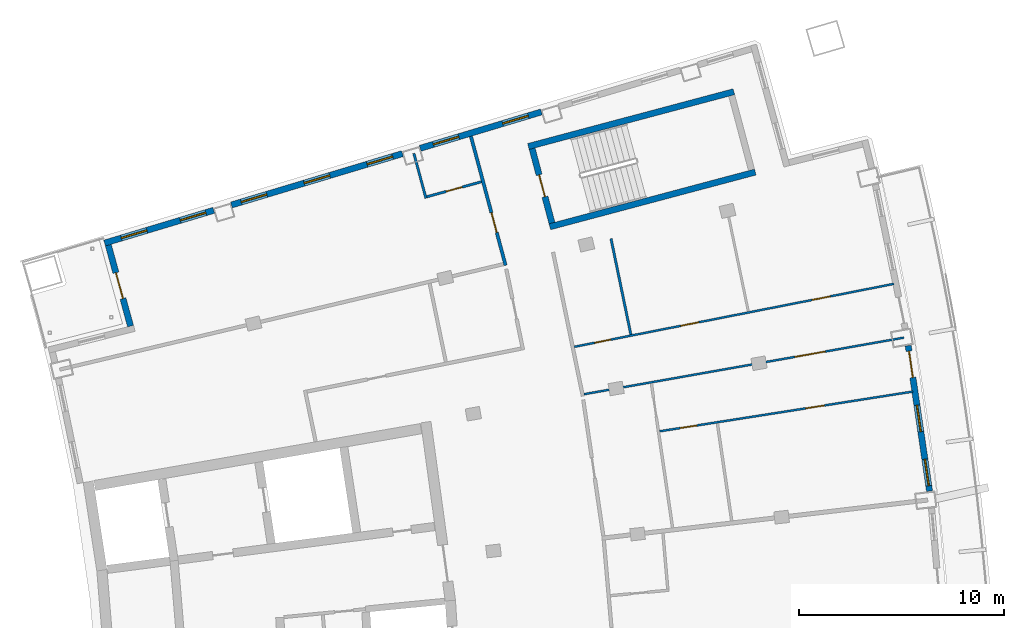
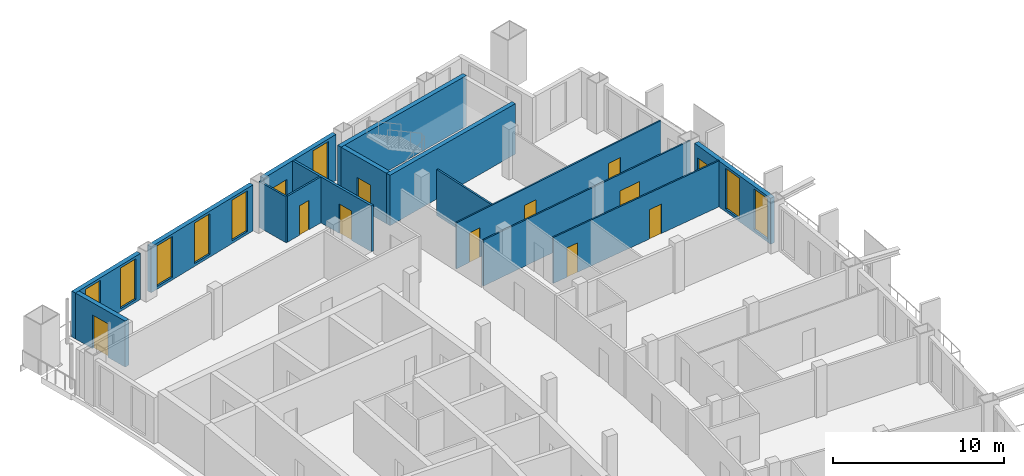
# One storey, part 12 of 15: 15 walls, 11 doors, 9 windows, 20 openings.
"""IFC4 building model written with IfcOpenShell, lengths in metres."""

from ifc_helpers import new_model, si_unit, direction, frame, frame_2d, origin, place, context, subcontext, project, spatial, rectangle, extrude, material, layer, layer_set, type_object, element, fill, save


model = new_model("IFC4")

# Units and contexts
model_context = context("Model", 3, precision=1e-05, world=origin(), true_north=direction((0.0, 1.0)))
body_context = subcontext(model_context, "Body", "Model", "MODEL_VIEW")
ifc_project = project(units=[si_unit("LENGTHUNIT", "METRE"), si_unit("AREAUNIT", "SQUARE_METRE"), si_unit("VOLUMEUNIT", "CUBIC_METRE"), si_unit("PLANEANGLEUNIT", "RADIAN"), si_unit("MASSUNIT", "GRAM", prefix="KILO")], contexts=[model_context])

# Site, building, storey
site_placement = place(None, origin())
site = spatial("IfcSite", under=ifc_project, at=site_placement, CompositionType="ELEMENT")
building_placement = place(site_placement, origin())
building = spatial("IfcBuilding", under=site, at=building_placement, Name="Alderwake Tower", CompositionType="ELEMENT")
storey_placement = place(building_placement, frame((0.0, 0.0, 249.199951171875)))
storey = spatial("IfcBuildingStorey", under=building, at=storey_placement, Name="L61", CompositionType="ELEMENT", Elevation=249.199951171875)

# Walls
ifc_material_1 = material(Name="Concrete C70/85", Category="concrete")
ifc_layer_1 = layer(ifc_material_1, 0.300048828125)
ifc_layer_set_1 = layer_set([ifc_layer_1], Name="Core wall stair enclosure 300 C70-85")
wall_type_1 = type_object("IfcWallType", Name="Core wall stair enclosure 300 C70-85", PredefinedType="SHEAR", material=ifc_layer_set_1)
for number, where, z_axis, x_axis, name in (
    (1, (36.71142578125, 94.182373046875, 0.0), (0.0, 0.0, 1.0), (0.966309214305, 0.257383958996, 0.0), "Core wall CW.082"),
    (2, (37.75390625, 90.268798828125, 0.0), (0.0, 0.0, 1.0), (0.966309214305, 0.257383958996, 0.0), "Core wall CW.084"),
):
    element("IfcWall", number, at=place(storey_placement, frame(where, z_axis=z_axis, x_axis=x_axis)), inside=storey, type_object=wall_type_1, Name=name, PredefinedType="SHEAR", context=body_context, shape_type="SweptSolid", body=[
        extrude(rectangle(XDim=10.360107421875, YDim=0.300048828125, at=frame_2d((5.18017578125, 0.0))), origin(), (0.0, 0.0, 1.0), 3.60009765625),
    ])

# Wall, opening, door
wall_1_placement = place(storey_placement, frame((37.8603515625, 90.452392578125, 0.0), z_axis=(0.0, 0.0, 1.0), x_axis=(-0.257411420208, 0.966301899381, 0.0)))
wall_1 = element("IfcWall", 3, at=wall_1_placement, inside=storey, type_object=wall_type_1, Name="Core wall CW.083", PredefinedType="SHEAR", context=body_context, shape_type="SweptSolid", body=[
    extrude(rectangle(XDim=3.750244140625, YDim=0.300048828125, at=frame_2d((1.875, 0.0))), origin(), (0.0, 0.0, 1.0), 3.60009765625),
])
opening_1_placement = place(wall_1_placement, frame((1.324951171875, 0.0, 0.0)))
opening_1 = element("IfcOpeningElement", 4, at=opening_1_placement, cuts=wall_1, Name="Opening C062", PredefinedType="OPENING", context=body_context, shape_type="SweptSolid", body=[
    extrude(rectangle(XDim=1.10009765625, YDim=2.10009765625, at=frame_2d((0.550048828125, 1.050048828125))), frame((0.0, 0.159912109375, 0.0), z_axis=(0.0, -1.0, 0.0), x_axis=(1.0, 0.0, 0.0)), (0.0, 0.0, 1.0), 0.320068359375),
])
ifc_material_2 = material(Name="Steel-framed fire door leaf", Category="steel")
door_type_1 = type_object("IfcDoorType", Name="Core stair door 1100 fire-rated", OperationType="SINGLE_SWING_LEFT", PredefinedType="DOOR", material=ifc_material_2)
door_1_placement = place(opening_1_placement, origin())
door_1 = element("IfcDoor", 5, at=door_1_placement, inside=storey, type_object=door_type_1, Name="Stair door", OperationType="SINGLE_SWING_RIGHT", OverallHeight=2.10009765625, OverallWidth=1.10009765625, PredefinedType="DOOR", context=body_context, shape_type="SweptSolid", body=[
    extrude(rectangle(XDim=1.10009765625, YDim=2.10009765625, at=frame_2d((0.550048828125, 1.050048828125))), frame((0.0, 0.02490234375, 0.0), z_axis=(0.0, -1.0, 0.0), x_axis=(1.0, 0.0, 0.0)), (0.0, 0.0, 1.0), 0.050048828125),
])
fill(opening_1, door_1)

ifc_material_3 = material(Name="Gypsum board on metal studs, rated")
ifc_layer_2 = layer(ifc_material_3, 0.159912109375)
ifc_layer_set_2 = layer_set([ifc_layer_2], Name="Corridor wall 160")
wall_type_2 = type_object("IfcWallType", Name="Corridor wall 160", PredefinedType="PARTITIONING", material=ifc_layer_set_2)
wall_2_placement = place(storey_placement, frame((35.600830078125, 88.392578125, 0.0), z_axis=(0.0, 0.0, 1.0), x_axis=(-0.259509260101, 0.965740619381, 0.0)))
wall_2 = element("IfcWall", 6, at=wall_2_placement, inside=storey, type_object=wall_type_2, Name="WL/L61/W12", PredefinedType="PARTITIONING", context=body_context, shape_type="SweptSolid", body=[
    extrude(rectangle(XDim=6.50732421875, YDim=0.159912109375, at=frame_2d((3.253662109375, 0.0))), origin(), (0.0, 0.0, 1.0), 3.280029296875),
])
opening_2_placement = place(wall_2_placement, frame((1.65771484375, 0.0, 0.0)))
opening_2 = element("IfcOpeningElement", 7, at=opening_2_placement, cuts=wall_2, Name="Opening R17-U09.1", PredefinedType="OPENING", context=body_context, shape_type="SweptSolid", body=[
    extrude(rectangle(XDim=1.0, YDim=2.10009765625, at=frame_2d((0.5, 1.050048828125))), frame((0.0, 0.08984375, 0.0), z_axis=(0.0, -1.0, 0.0), x_axis=(1.0, 0.0, 0.0)), (0.0, 0.0, 1.0), 0.179931640625),
])
ifc_material_4 = material(Name="Solid timber leaf in steel frame", Category="steel")
door_type_2 = type_object("IfcDoorType", Name="Flat entrance door 1000 fire-rated", OperationType="SINGLE_SWING_LEFT", PredefinedType="DOOR", material=ifc_material_4)
door_2_placement = place(opening_2_placement, origin())
door_2 = element("IfcDoor", 8, at=door_2_placement, inside=storey, type_object=door_type_2, Name="DR/L61/U09.1", OperationType="SINGLE_SWING_LEFT", OverallHeight=2.10009765625, OverallWidth=1.0, PredefinedType="DOOR", context=body_context, shape_type="SweptSolid", body=[
    extrude(rectangle(XDim=1.0, YDim=2.10009765625, at=frame_2d((0.5, 1.050048828125))), frame((0.0, 0.02490234375, 0.0), z_axis=(0.0, -1.0, 0.0), x_axis=(1.0, 0.0, 0.0)), (0.0, 0.0, 1.0), 0.050048828125),
])
fill(opening_2, door_2)

# Wall, openings, door, windows
ifc_material_5 = material(Name="Precast concrete C50/60 spandrel panel", Category="concrete")
ifc_layer_3 = layer(ifc_material_5, 0.300048828125)
ifc_layer_set_3 = layer_set([ifc_layer_3], Name="External wall EW1 Precast concrete C50/60 spandrel")
wall_type_3 = type_object("IfcWallType", Name="External wall EW1 Precast concrete C50/60 spandrel", PredefinedType="SOLIDWALL", material=ifc_layer_set_3)
wall_3_placement = place(storey_placement, frame((56.255615234375, 77.393310546875, 0.0), z_axis=(0.0, 0.0, 1.0), x_axis=(-0.145324203969, 0.989384089088, 0.0)))
wall_3 = element("IfcWall", 9, at=wall_3_placement, inside=storey, type_object=wall_type_3, Name="External wall 18", PredefinedType="SOLIDWALL", context=body_context, shape_type="SweptSolid", body=[
    extrude(rectangle(XDim=7.16162109375, YDim=0.300048828125, at=frame_2d((3.580810546875, 0.0))), origin(), (0.0, 0.0, 1.0), 3.280029296875),
])
opening_3_placement = place(wall_3_placement, frame((0.267333984375, 0.0, 0.199951171875)))
opening_3 = element("IfcOpeningElement", 10, at=opening_3_placement, cuts=wall_3, Name="Opening W1", PredefinedType="OPENING", context=body_context, shape_type="SweptSolid", body=[
    extrude(rectangle(XDim=1.300048828125, YDim=2.89990234375, at=frame_2d((0.64990234375, 1.449951171875))), frame((0.0, 0.159912109375, 0.0), z_axis=(0.0, -1.0, 0.0), x_axis=(1.0, 0.0, 0.0)), (0.0, 0.0, 1.0), 0.320068359375),
])
opening_4_placement = place(wall_3_placement, frame((2.930908203125, 0.0, 0.199951171875)))
opening_4 = element("IfcOpeningElement", 11, at=opening_4_placement, cuts=wall_3, Name="Opening W1", PredefinedType="OPENING", context=body_context, shape_type="SweptSolid", body=[
    extrude(rectangle(XDim=1.300048828125, YDim=2.89990234375, at=frame_2d((0.64990234375, 1.449951171875))), frame((0.0, 0.159912109375, 0.0), z_axis=(0.0, -1.0, 0.0), x_axis=(1.0, 0.0, 0.0)), (0.0, 0.0, 1.0), 0.320068359375),
])
opening_5_placement = place(wall_3_placement, frame((5.594482421875, 0.0, 0.0)))
opening_5 = element("IfcOpeningElement", 12, at=opening_5_placement, cuts=wall_3, Name="Opening D07", PredefinedType="OPENING", context=body_context, shape_type="SweptSolid", body=[
    extrude(rectangle(XDim=1.300048828125, YDim=2.39990234375, at=frame_2d((0.64990234375, 1.199951171875))), frame((0.0, 0.159912109375, 0.0), z_axis=(0.0, -1.0, 0.0), x_axis=(1.0, 0.0, 0.0)), (0.0, 0.0, 1.0), 0.320068359375),
])
ifc_material_6 = material(Name="Bronze tinted glass in aluminium frame", Category="aluminium")
door_type_3 = type_object("IfcDoorType", Name="Balcony door BD sliding", OperationType="SLIDING_TO_LEFT", PredefinedType="DOOR", material=ifc_material_6)
door_3_placement = place(opening_5_placement, origin())
door_3 = element("IfcDoor", 13, at=door_3_placement, inside=storey, type_object=door_type_3, Name="Door D07", OperationType="SLIDING_TO_LEFT", OverallHeight=2.39990234375, OverallWidth=1.300048828125, PredefinedType="DOOR", context=body_context, shape_type="SweptSolid", body=[
    extrude(rectangle(XDim=1.300048828125, YDim=2.39990234375, at=frame_2d((0.64990234375, 1.199951171875))), frame((0.0, 0.02490234375, 0.0), z_axis=(0.0, -1.0, 0.0), x_axis=(1.0, 0.0, 0.0)), (0.0, 0.0, 1.0), 0.050048828125),
])
fill(opening_5, door_3)
ifc_material_7 = material(Name="Bronze tinted glass in aluminium frame", Category="aluminium")
window_type_1 = type_object("IfcWindowType", Name="Window W1 tall fixed and vent", PartitioningType="DOUBLE_PANEL_VERTICAL", PredefinedType="WINDOW", material=ifc_material_7)
window_1_placement = place(opening_3_placement, origin())
window_1 = element("IfcWindow", 14, at=window_1_placement, inside=storey, type_object=window_type_1, Name="Window W1 tall fixed and vent", OverallHeight=2.89990234375, OverallWidth=1.300048828125, PartitioningType="DOUBLE_PANEL_VERTICAL", PredefinedType="WINDOW", context=body_context, shape_type="SweptSolid", body=[
    extrude(rectangle(XDim=1.300048828125, YDim=2.89990234375, at=frame_2d((0.64990234375, 1.449951171875))), frame((0.0, 0.030029296875, 0.0), z_axis=(0.0, -1.0, 0.0), x_axis=(1.0, 0.0, 0.0)), (0.0, 0.0, 1.0), 0.06005859375),
])
fill(opening_3, window_1)
window_2_placement = place(opening_4_placement, origin())
window_2 = element("IfcWindow", 15, at=window_2_placement, inside=storey, type_object=window_type_1, Name="Window W1 tall fixed and vent", OverallHeight=2.89990234375, OverallWidth=1.300048828125, PartitioningType="DOUBLE_PANEL_VERTICAL", PredefinedType="WINDOW", context=body_context, shape_type="SweptSolid", body=[
    extrude(rectangle(XDim=1.300048828125, YDim=2.89990234375, at=frame_2d((0.64990234375, 1.449951171875))), frame((0.0, 0.030029296875, 0.0), z_axis=(0.0, -1.0, 0.0), x_axis=(1.0, 0.0, 0.0)), (0.0, 0.0, 1.0), 0.06005859375),
])
fill(opening_4, window_2)

# Wall, openings, windows
ifc_material_8 = material(Name="Bronze metal cladding on lightweight framing")
ifc_layer_4 = layer(ifc_material_8, 0.300048828125)
ifc_layer_set_4 = layer_set([ifc_layer_4], Name="External wall EW2 bronze metal cladding")
wall_type_4 = type_object("IfcWallType", Name="External wall EW2 bronze metal cladding", PredefinedType="SOLIDWALL", material=ifc_layer_set_4)
wall_4_placement = place(storey_placement, frame((37.34423828125, 95.86474609375, 0.0), z_axis=(0.0, 0.0, 1.0), x_axis=(-0.957757574336, -0.287576822436, 0.0)))
wall_4 = element("IfcWall", 16, at=wall_4_placement, inside=storey, type_object=wall_type_4, Name="External wall 25", PredefinedType="SOLIDWALL", context=body_context, shape_type="SweptSolid", body=[
    extrude(rectangle(XDim=6.163330078125, YDim=0.300048828125, at=frame_2d((3.08154296875, 0.0))), origin(), (0.0, 0.0, 1.0), 3.280029296875),
])
opening_6_placement = place(wall_4_placement, frame((0.6650390625, 0.0, 0.199951171875)))
opening_6 = element("IfcOpeningElement", 17, at=opening_6_placement, cuts=wall_4, Name="Opening W1", PredefinedType="OPENING", context=body_context, shape_type="SweptSolid", body=[
    extrude(rectangle(XDim=1.300048828125, YDim=2.89990234375, at=frame_2d((0.64990234375, 1.449951171875))), frame((0.0, 0.159912109375, 0.0), z_axis=(0.0, -1.0, 0.0), x_axis=(1.0, 0.0, 0.0)), (0.0, 0.0, 1.0), 0.320068359375),
])
opening_7_placement = place(wall_4_placement, frame((4.198486328125, 0.0, 1.0)))
opening_7 = element("IfcOpeningElement", 18, at=opening_7_placement, cuts=wall_4, Name="Opening W2", PredefinedType="OPENING", context=body_context, shape_type="SweptSolid", body=[
    extrude(rectangle(XDim=1.300048828125, YDim=1.199951171875, at=frame_2d((0.64990234375, 0.60009765625))), frame((0.0, 0.159912109375, 0.0), z_axis=(0.0, -1.0, 0.0), x_axis=(1.0, 0.0, 0.0)), (0.0, 0.0, 1.0), 0.320068359375),
])
window_3_placement = place(opening_6_placement, origin())
window_3 = element("IfcWindow", 19, at=window_3_placement, inside=storey, type_object=window_type_1, Name="Window W1 tall fixed and vent", OverallHeight=2.89990234375, OverallWidth=1.300048828125, PartitioningType="DOUBLE_PANEL_VERTICAL", PredefinedType="WINDOW", context=body_context, shape_type="SweptSolid", body=[
    extrude(rectangle(XDim=1.300048828125, YDim=2.89990234375, at=frame_2d((0.64990234375, 1.449951171875))), frame((0.0, 0.030029296875, 0.0), z_axis=(0.0, -1.0, 0.0), x_axis=(1.0, 0.0, 0.0)), (0.0, 0.0, 1.0), 0.06005859375),
])
fill(opening_6, window_3)
ifc_material_9 = material(Name="Bronze tinted glass in aluminium frame", Category="aluminium")
window_type_2 = type_object("IfcWindowType", Name="Window W2 kitchen and bath", PartitioningType="SINGLE_PANEL", PredefinedType="WINDOW", material=ifc_material_9)
window_4_placement = place(opening_7_placement, origin())
window_4 = element("IfcWindow", 20, at=window_4_placement, inside=storey, type_object=window_type_2, Name="Window W2 kitchen and bath", OverallHeight=1.199951171875, OverallWidth=1.300048828125, PartitioningType="SINGLE_PANEL", PredefinedType="WINDOW", context=body_context, shape_type="SweptSolid", body=[
    extrude(rectangle(XDim=1.300048828125, YDim=1.199951171875, at=frame_2d((0.64990234375, 0.60009765625))), frame((0.0, 0.030029296875, 0.0), z_axis=(0.0, -1.0, 0.0), x_axis=(1.0, 0.0, 0.0)), (0.0, 0.0, 1.0), 0.06005859375),
])
fill(opening_7, window_4)

wall_5_placement = place(storey_placement, frame((30.57568359375, 93.83251953125, 0.0), z_axis=(0.0, 0.0, 1.0), x_axis=(-0.957762902908, -0.287559075345, 0.0)))
wall_5 = element("IfcWall", 21, at=wall_5_placement, inside=storey, type_object=wall_type_4, Name="External wall 26", PredefinedType="SOLIDWALL", context=body_context, shape_type="SweptSolid", body=[
    extrude(rectangle(XDim=8.696533203125, YDim=0.300048828125, at=frame_2d((4.34814453125, 0.0))), origin(), (0.0, 0.0, 1.0), 3.280029296875),
])
opening_8_placement = place(wall_5_placement, frame((0.498291015625, 0.0, 0.199951171875)))
opening_8 = element("IfcOpeningElement", 22, at=opening_8_placement, cuts=wall_5, Name="Opening W1", PredefinedType="OPENING", context=body_context, shape_type="SweptSolid", body=[
    extrude(rectangle(XDim=1.300048828125, YDim=2.89990234375, at=frame_2d((0.64990234375, 1.449951171875))), frame((0.0, 0.159912109375, 0.0), z_axis=(0.0, -1.0, 0.0), x_axis=(1.0, 0.0, 0.0)), (0.0, 0.0, 1.0), 0.320068359375),
])
opening_9_placement = place(wall_5_placement, frame((3.6982421875, 0.0, 0.199951171875)))
opening_9 = element("IfcOpeningElement", 23, at=opening_9_placement, cuts=wall_5, Name="Opening W1", PredefinedType="OPENING", context=body_context, shape_type="SweptSolid", body=[
    extrude(rectangle(XDim=1.300048828125, YDim=2.89990234375, at=frame_2d((0.64990234375, 1.449951171875))), frame((0.0, 0.159912109375, 0.0), z_axis=(0.0, -1.0, 0.0), x_axis=(1.0, 0.0, 0.0)), (0.0, 0.0, 1.0), 0.320068359375),
])
opening_10_placement = place(wall_5_placement, frame((6.898193359375, 0.0, 0.199951171875)))
opening_10 = element("IfcOpeningElement", 24, at=opening_10_placement, cuts=wall_5, Name="Opening W1", PredefinedType="OPENING", context=body_context, shape_type="SweptSolid", body=[
    extrude(rectangle(XDim=1.300048828125, YDim=2.89990234375, at=frame_2d((0.64990234375, 1.449951171875))), frame((0.0, 0.159912109375, 0.0), z_axis=(0.0, -1.0, 0.0), x_axis=(1.0, 0.0, 0.0)), (0.0, 0.0, 1.0), 0.320068359375),
])
window_5_placement = place(opening_8_placement, origin())
window_5 = element("IfcWindow", 25, at=window_5_placement, inside=storey, type_object=window_type_1, Name="Window W1 tall fixed and vent", OverallHeight=2.89990234375, OverallWidth=1.300048828125, PartitioningType="DOUBLE_PANEL_VERTICAL", PredefinedType="WINDOW", context=body_context, shape_type="SweptSolid", body=[
    extrude(rectangle(XDim=1.300048828125, YDim=2.89990234375, at=frame_2d((0.64990234375, 1.449951171875))), frame((0.0, 0.030029296875, 0.0), z_axis=(0.0, -1.0, 0.0), x_axis=(1.0, 0.0, 0.0)), (0.0, 0.0, 1.0), 0.06005859375),
])
fill(opening_8, window_5)
window_6_placement = place(opening_9_placement, origin())
window_6 = element("IfcWindow", 26, at=window_6_placement, inside=storey, type_object=window_type_1, Name="Window W1 tall fixed and vent", OverallHeight=2.89990234375, OverallWidth=1.300048828125, PartitioningType="DOUBLE_PANEL_VERTICAL", PredefinedType="WINDOW", context=body_context, shape_type="SweptSolid", body=[
    extrude(rectangle(XDim=1.300048828125, YDim=2.89990234375, at=frame_2d((0.64990234375, 1.449951171875))), frame((0.0, 0.030029296875, 0.0), z_axis=(0.0, -1.0, 0.0), x_axis=(1.0, 0.0, 0.0)), (0.0, 0.0, 1.0), 0.06005859375),
])
fill(opening_9, window_6)
window_7_placement = place(opening_10_placement, origin())
window_7 = element("IfcWindow", 27, at=window_7_placement, inside=storey, type_object=window_type_1, Name="Window W1 tall fixed and vent", OverallHeight=2.89990234375, OverallWidth=1.300048828125, PartitioningType="DOUBLE_PANEL_VERTICAL", PredefinedType="WINDOW", context=body_context, shape_type="SweptSolid", body=[
    extrude(rectangle(XDim=1.300048828125, YDim=2.89990234375, at=frame_2d((0.64990234375, 1.449951171875))), frame((0.0, 0.030029296875, 0.0), z_axis=(0.0, -1.0, 0.0), x_axis=(1.0, 0.0, 0.0)), (0.0, 0.0, 1.0), 0.06005859375),
])
fill(opening_10, window_7)

wall_6_placement = place(storey_placement, frame((21.380859375, 91.072021484375, 0.0), z_axis=(0.0, 0.0, 1.0), x_axis=(-0.957769358194, -0.287537574074, 0.0)))
wall_6 = element("IfcWall", 28, at=wall_6_placement, inside=storey, type_object=wall_type_4, Name="External wall 27", PredefinedType="SOLIDWALL", context=body_context, shape_type="SweptSolid", body=[
    extrude(rectangle(XDim=5.549560546875, YDim=0.300048828125, at=frame_2d((2.77490234375, 0.0))), origin(), (0.0, 0.0, 1.0), 3.280029296875),
])
opening_11_placement = place(wall_6_placement, frame((0.3984375, 0.0, 0.199951171875)))
opening_11 = element("IfcOpeningElement", 29, at=opening_11_placement, cuts=wall_6, Name="Opening W1", PredefinedType="OPENING", context=body_context, shape_type="SweptSolid", body=[
    extrude(rectangle(XDim=1.300048828125, YDim=2.89990234375, at=frame_2d((0.64990234375, 1.449951171875))), frame((0.0, 0.159912109375, 0.0), z_axis=(0.0, -1.0, 0.0), x_axis=(1.0, 0.0, 0.0)), (0.0, 0.0, 1.0), 0.320068359375),
])
opening_12_placement = place(wall_6_placement, frame((3.399169921875, 0.0, 0.199951171875)))
opening_12 = element("IfcOpeningElement", 30, at=opening_12_placement, cuts=wall_6, Name="Opening W1", PredefinedType="OPENING", context=body_context, shape_type="SweptSolid", body=[
    extrude(rectangle(XDim=1.300048828125, YDim=2.89990234375, at=frame_2d((0.64990234375, 1.449951171875))), frame((0.0, 0.159912109375, 0.0), z_axis=(0.0, -1.0, 0.0), x_axis=(1.0, 0.0, 0.0)), (0.0, 0.0, 1.0), 0.320068359375),
])
window_8_placement = place(opening_11_placement, origin())
window_8 = element("IfcWindow", 31, at=window_8_placement, inside=storey, type_object=window_type_1, Name="Window W1 tall fixed and vent", OverallHeight=2.89990234375, OverallWidth=1.300048828125, PartitioningType="DOUBLE_PANEL_VERTICAL", PredefinedType="WINDOW", context=body_context, shape_type="SweptSolid", body=[
    extrude(rectangle(XDim=1.300048828125, YDim=2.89990234375, at=frame_2d((0.64990234375, 1.449951171875))), frame((0.0, 0.030029296875, 0.0), z_axis=(0.0, -1.0, 0.0), x_axis=(1.0, 0.0, 0.0)), (0.0, 0.0, 1.0), 0.06005859375),
])
fill(opening_11, window_8)
window_9_placement = place(opening_12_placement, origin())
window_9 = element("IfcWindow", 32, at=window_9_placement, inside=storey, type_object=window_type_1, Name="Window W1 tall fixed and vent", OverallHeight=2.89990234375, OverallWidth=1.300048828125, PartitioningType="DOUBLE_PANEL_VERTICAL", PredefinedType="WINDOW", context=body_context, shape_type="SweptSolid", body=[
    extrude(rectangle(XDim=1.300048828125, YDim=2.89990234375, at=frame_2d((0.64990234375, 1.449951171875))), frame((0.0, 0.030029296875, 0.0), z_axis=(0.0, -1.0, 0.0), x_axis=(1.0, 0.0, 0.0)), (0.0, 0.0, 1.0), 0.06005859375),
])
fill(opening_12, window_9)

# Wall, opening, door
wall_7_placement = place(storey_placement, frame((16.248779296875, 89.374755859375, 0.0), z_axis=(0.0, 0.0, 1.0), x_axis=(0.264607053468, -0.964356317579, 0.0)))
wall_7 = element("IfcWall", 33, at=wall_7_placement, inside=storey, type_object=wall_type_4, Name="External wall 28", PredefinedType="SOLIDWALL", context=body_context, shape_type="SweptSolid", body=[
    extrude(rectangle(XDim=4.090087890625, YDim=0.300048828125, at=frame_2d((2.044921875, 0.0))), origin(), (0.0, 0.0, 1.0), 3.280029296875),
])
opening_13_placement = place(wall_7_placement, frame((1.39501953125, 0.0, 0.0)))
opening_13 = element("IfcOpeningElement", 34, at=opening_13_placement, cuts=wall_7, Name="Opening D09", PredefinedType="OPENING", context=body_context, shape_type="SweptSolid", body=[
    extrude(rectangle(XDim=1.300048828125, YDim=2.39990234375, at=frame_2d((0.64990234375, 1.199951171875))), frame((0.0, 0.159912109375, 0.0), z_axis=(0.0, -1.0, 0.0), x_axis=(1.0, 0.0, 0.0)), (0.0, 0.0, 1.0), 0.320068359375),
])
door_4_placement = place(opening_13_placement, origin())
door_4 = element("IfcDoor", 35, at=door_4_placement, inside=storey, type_object=door_type_3, Name="Door D09", OperationType="SLIDING_TO_LEFT", OverallHeight=2.39990234375, OverallWidth=1.300048828125, PredefinedType="DOOR", context=body_context, shape_type="SweptSolid", body=[
    extrude(rectangle(XDim=1.300048828125, YDim=2.39990234375, at=frame_2d((0.64990234375, 1.199951171875))), frame((0.0, 0.02490234375, 0.0), z_axis=(0.0, -1.0, 0.0), x_axis=(1.0, 0.0, 0.0)), (0.0, 0.0, 1.0), 0.050048828125),
])
fill(opening_13, door_4)

# Wall, openings, doors
ifc_material_10 = material(Name="Gypsum board on metal studs")
ifc_layer_5 = layer(ifc_material_10, 0.10009765625)
ifc_layer_set_5 = layer_set([ifc_layer_5], Name="Unit partition 100")
wall_type_5 = type_object("IfcWallType", Name="Unit partition 100", PredefinedType="PARTITIONING", material=ifc_layer_set_5)
wall_8_placement = place(storey_placement, frame((38.949462890625, 84.423583984375, 0.0), z_axis=(0.0, 0.0, 1.0), x_axis=(0.981149511114, 0.193250192344, 0.0)))
wall_8 = element("IfcWall", 36, at=wall_8_placement, inside=storey, type_object=wall_type_5, Name="WL/L61/W44", PredefinedType="PARTITIONING", context=body_context, shape_type="SweptSolid", body=[
    extrude(rectangle(XDim=15.862548828125, YDim=0.10009765625, at=frame_2d((7.93115234375, 0.0))), origin(), (0.0, 0.0, 1.0), 3.280029296875),
])
opening_14_placement = place(wall_8_placement, frame((5.2841796875, 0.0, 0.0)))
opening_14 = element("IfcOpeningElement", 37, at=opening_14_placement, cuts=wall_8, Name="Opening R17-U07.5", PredefinedType="OPENING", context=body_context, shape_type="SweptSolid", body=[
    extrude(rectangle(XDim=0.89990234375, YDim=2.10009765625, at=frame_2d((0.449951171875, 1.050048828125))), frame((0.0, 0.06005859375, 0.0), z_axis=(0.0, -1.0, 0.0), x_axis=(1.0, 0.0, 0.0)), (0.0, 0.0, 1.0), 0.1201171875),
])
opening_15_placement = place(wall_8_placement, frame((1.009521484375, 0.0, 0.0)))
opening_15 = element("IfcOpeningElement", 38, at=opening_15_placement, cuts=wall_8, Name="Opening R17-U07.6", PredefinedType="OPENING", context=body_context, shape_type="SweptSolid", body=[
    extrude(rectangle(XDim=0.800048828125, YDim=2.10009765625, at=frame_2d((0.39990234375, 1.050048828125))), frame((0.0, 0.06005859375, 0.0), z_axis=(0.0, -1.0, 0.0), x_axis=(1.0, 0.0, 0.0)), (0.0, 0.0, 1.0), 0.1201171875),
])
opening_16_placement = place(wall_8_placement, frame((11.805908203125, 0.0, 0.0)))
opening_16 = element("IfcOpeningElement", 39, at=opening_16_placement, cuts=wall_8, Name="Opening R17-U07.7", PredefinedType="OPENING", context=body_context, shape_type="SweptSolid", body=[
    extrude(rectangle(XDim=0.89990234375, YDim=2.10009765625, at=frame_2d((0.449951171875, 1.050048828125))), frame((0.0, 0.06005859375, 0.0), z_axis=(0.0, -1.0, 0.0), x_axis=(1.0, 0.0, 0.0)), (0.0, 0.0, 1.0), 0.1201171875),
])
ifc_material_11 = material(Name="Painted timber leaf", Category="wood")
door_type_4 = type_object("IfcDoorType", Name="Bathroom door 800", OperationType="SINGLE_SWING_LEFT", PredefinedType="DOOR", material=ifc_material_11)
door_5_placement = place(opening_15_placement, origin())
door_5 = element("IfcDoor", 40, at=door_5_placement, inside=storey, type_object=door_type_4, Name="DR/L61/U07.6", OperationType="SINGLE_SWING_LEFT", OverallHeight=2.10009765625, OverallWidth=0.800048828125, PredefinedType="DOOR", context=body_context, shape_type="SweptSolid", body=[
    extrude(rectangle(XDim=0.800048828125, YDim=2.10009765625, at=frame_2d((0.39990234375, 1.050048828125))), frame((0.0, 0.02490234375, 0.0), z_axis=(0.0, -1.0, 0.0), x_axis=(1.0, 0.0, 0.0)), (0.0, 0.0, 1.0), 0.050048828125),
])
fill(opening_15, door_5)
ifc_material_12 = material(Name="Painted timber leaf", Category="wood")
door_type_5 = type_object("IfcDoorType", Name="Room door 900", OperationType="SINGLE_SWING_LEFT", PredefinedType="DOOR", material=ifc_material_12)
door_6_placement = place(opening_14_placement, origin())
door_6 = element("IfcDoor", 41, at=door_6_placement, inside=storey, type_object=door_type_5, Name="DR/L61/U07.5", OperationType="SINGLE_SWING_LEFT", OverallHeight=2.10009765625, OverallWidth=0.89990234375, PredefinedType="DOOR", context=body_context, shape_type="SweptSolid", body=[
    extrude(rectangle(XDim=0.89990234375, YDim=2.10009765625, at=frame_2d((0.449951171875, 1.050048828125))), frame((0.0, 0.02490234375, 0.0), z_axis=(0.0, -1.0, 0.0), x_axis=(1.0, 0.0, 0.0)), (0.0, 0.0, 1.0), 0.050048828125),
])
fill(opening_14, door_6)
door_7_placement = place(opening_16_placement, origin())
door_7 = element("IfcDoor", 42, at=door_7_placement, inside=storey, type_object=door_type_5, Name="DR/L61/U07.7", OperationType="SINGLE_SWING_LEFT", OverallHeight=2.10009765625, OverallWidth=0.89990234375, PredefinedType="DOOR", context=body_context, shape_type="SweptSolid", body=[
    extrude(rectangle(XDim=0.89990234375, YDim=2.10009765625, at=frame_2d((0.449951171875, 1.050048828125))), frame((0.0, 0.02490234375, 0.0), z_axis=(0.0, -1.0, 0.0), x_axis=(1.0, 0.0, 0.0)), (0.0, 0.0, 1.0), 0.050048828125),
])
fill(opening_16, door_7)

# Wall, opening, door
wall_9_placement = place(storey_placement, frame((39.4267578125, 82.114990234375, 0.0), z_axis=(0.0, 0.0, 1.0), x_axis=(0.984718082125, 0.174155960957, 0.0)))
wall_9 = element("IfcWall", 43, at=wall_9_placement, inside=storey, type_object=wall_type_5, Name="WL/L61/W45", PredefinedType="PARTITIONING", context=body_context, shape_type="SweptSolid", body=[
    extrude(rectangle(XDim=15.81982421875, YDim=0.10009765625, at=frame_2d((7.909912109375, 0.0))), origin(), (0.0, 0.0, 1.0), 3.280029296875),
])
opening_17_placement = place(wall_9_placement, frame((10.43408203125, 0.0, 0.0)))
opening_17 = element("IfcOpeningElement", 44, at=opening_17_placement, cuts=wall_9, Name="Opening R17-U07.8", PredefinedType="OPENING", context=body_context, shape_type="SweptSolid", body=[
    extrude(rectangle(XDim=1.5, YDim=2.10009765625, at=frame_2d((0.75, 1.050048828125))), frame((0.0, 0.06005859375, 0.0), z_axis=(0.0, -1.0, 0.0), x_axis=(1.0, 0.0, 0.0)), (0.0, 0.0, 1.0), 0.1201171875),
])
ifc_material_13 = material(Name="Painted timber leaves", Category="wood")
door_type_6 = type_object("IfcDoorType", Name="Double leaf door 1500", OperationType="DOUBLE_DOOR_SINGLE_SWING", PredefinedType="DOOR", material=ifc_material_13)
door_8_placement = place(opening_17_placement, origin())
door_8 = element("IfcDoor", 45, at=door_8_placement, inside=storey, type_object=door_type_6, Name="DR/L61/U07.8", OperationType="DOUBLE_DOOR_SINGLE_SWING", OverallHeight=2.10009765625, OverallWidth=1.5, PredefinedType="DOOR", context=body_context, shape_type="SweptSolid", body=[
    extrude(rectangle(XDim=1.5, YDim=2.10009765625, at=frame_2d((0.75, 1.050048828125))), frame((0.0, 0.02490234375, 0.0), z_axis=(0.0, -1.0, 0.0), x_axis=(1.0, 0.0, 0.0)), (0.0, 0.0, 1.0), 0.050048828125),
])
fill(opening_17, door_8)

# Wall, openings, doors
wall_10_placement = place(storey_placement, frame((55.43994140625, 82.241943359375, 0.0), z_axis=(0.0, 0.0, 1.0), x_axis=(-0.98791506343, -0.154996217531, 0.0)))
wall_10 = element("IfcWall", 46, at=wall_10_placement, inside=storey, type_object=wall_type_5, Name="WL/L61/W49", PredefinedType="PARTITIONING", context=body_context, shape_type="SweptSolid", body=[
    extrude(rectangle(XDim=12.4814453125, YDim=0.10009765625, at=frame_2d((6.24072265625, 0.0))), origin(), (0.0, 0.0, 1.0), 3.280029296875),
])
opening_18_placement = place(wall_10_placement, frame((10.66259765625, 0.0, 0.0)))
opening_18 = element("IfcOpeningElement", 47, at=opening_18_placement, cuts=wall_10, Name="Opening R17-U07.3", PredefinedType="OPENING", context=body_context, shape_type="SweptSolid", body=[
    extrude(rectangle(XDim=0.800048828125, YDim=2.10009765625, at=frame_2d((0.39990234375, 1.050048828125))), frame((0.0, 0.06005859375, 0.0), z_axis=(0.0, -1.0, 0.0), x_axis=(1.0, 0.0, 0.0)), (0.0, 0.0, 1.0), 0.1201171875),
])
opening_19_placement = place(wall_10_placement, frame((4.371826171875, 0.0, 0.0)))
opening_19 = element("IfcOpeningElement", 48, at=opening_19_placement, cuts=wall_10, Name="Opening R17-U07.4", PredefinedType="OPENING", context=body_context, shape_type="SweptSolid", body=[
    extrude(rectangle(XDim=0.89990234375, YDim=2.10009765625, at=frame_2d((0.449951171875, 1.050048828125))), frame((0.0, 0.06005859375, 0.0), z_axis=(0.0, -1.0, 0.0), x_axis=(1.0, 0.0, 0.0)), (0.0, 0.0, 1.0), 0.1201171875),
])
door_9_placement = place(opening_18_placement, origin())
door_9 = element("IfcDoor", 49, at=door_9_placement, inside=storey, type_object=door_type_4, Name="DR/L61/U07.3", OperationType="SINGLE_SWING_LEFT", OverallHeight=2.10009765625, OverallWidth=0.800048828125, PredefinedType="DOOR", context=body_context, shape_type="SweptSolid", body=[
    extrude(rectangle(XDim=0.800048828125, YDim=2.10009765625, at=frame_2d((0.39990234375, 1.050048828125))), frame((0.0, 0.02490234375, 0.0), z_axis=(0.0, -1.0, 0.0), x_axis=(1.0, 0.0, 0.0)), (0.0, 0.0, 1.0), 0.050048828125),
])
fill(opening_18, door_9)
door_10_placement = place(opening_19_placement, origin())
door_10 = element("IfcDoor", 50, at=door_10_placement, inside=storey, type_object=door_type_5, Name="DR/L61/U07.4", OperationType="SINGLE_SWING_LEFT", OverallHeight=2.10009765625, OverallWidth=0.89990234375, PredefinedType="DOOR", context=body_context, shape_type="SweptSolid", body=[
    extrude(rectangle(XDim=0.89990234375, YDim=2.10009765625, at=frame_2d((0.449951171875, 1.050048828125))), frame((0.0, 0.02490234375, 0.0), z_axis=(0.0, -1.0, 0.0), x_axis=(1.0, 0.0, 0.0)), (0.0, 0.0, 1.0), 0.050048828125),
])
fill(opening_19, door_10)

# Wall
ifc_material_14 = material(Name="Moisture resistant gypsum board on metal studs")
ifc_layer_6 = layer(ifc_material_14, 0.1201171875)
ifc_layer_set_6 = layer_set([ifc_layer_6], Name="Wet room partition 120")
wall_type_6 = type_object("IfcWallType", Name="Wet room partition 120", PredefinedType="PARTITIONING", material=ifc_layer_set_6)
wall_11_placement = place(storey_placement, frame((31.134033203125, 93.843017578125, 0.0), z_axis=(0.0, 0.0, 1.0), x_axis=(0.260139854323, -0.965570948296, 0.0)))
element("IfcWall", 51, at=wall_11_placement, inside=storey, type_object=wall_type_6, Name="WL/L61/W28", PredefinedType="PARTITIONING", context=body_context, shape_type="SweptSolid", body=[
    extrude(rectangle(XDim=2.2626953125, YDim=0.1201171875, at=frame_2d((1.13134765625, 0.0))), origin(), (0.0, 0.0, 1.0), 3.280029296875),
])

# Wall, opening, door
wall_12_placement = place(storey_placement, frame((31.764892578125, 91.73193359375, 0.0), z_axis=(0.0, 0.0, 1.0), x_axis=(0.964278304966, 0.264891205163, 0.0)))
wall_12 = element("IfcWall", 52, at=wall_12_placement, inside=storey, type_object=wall_type_6, Name="WL/L61/W30", PredefinedType="PARTITIONING", context=body_context, shape_type="SweptSolid", body=[
    extrude(rectangle(XDim=2.759521484375, YDim=0.1201171875, at=frame_2d((1.3798828125, 0.0))), origin(), (0.0, 0.0, 1.0), 3.280029296875),
])
opening_20_placement = place(wall_12_placement, frame((0.979736328125, 0.0, 0.0)))
opening_20 = element("IfcOpeningElement", 53, at=opening_20_placement, cuts=wall_12, Name="Opening R17-U09.2", PredefinedType="OPENING", context=body_context, shape_type="SweptSolid", body=[
    extrude(rectangle(XDim=0.800048828125, YDim=2.10009765625, at=frame_2d((0.39990234375, 1.050048828125))), frame((0.0, 0.070068359375, 0.0), z_axis=(0.0, -1.0, 0.0), x_axis=(1.0, 0.0, 0.0)), (0.0, 0.0, 1.0), 0.14013671875),
])
door_11_placement = place(opening_20_placement, origin())
door_11 = element("IfcDoor", 54, at=door_11_placement, inside=storey, type_object=door_type_4, Name="DR/L61/U09.2", OperationType="SINGLE_SWING_LEFT", OverallHeight=2.10009765625, OverallWidth=0.800048828125, PredefinedType="DOOR", context=body_context, shape_type="SweptSolid", body=[
    extrude(rectangle(XDim=0.800048828125, YDim=2.10009765625, at=frame_2d((0.39990234375, 1.050048828125))), frame((0.0, 0.02490234375, 0.0), z_axis=(0.0, -1.0, 0.0), x_axis=(1.0, 0.0, 0.0)), (0.0, 0.0, 1.0), 0.050048828125),
])
fill(opening_20, door_11)

# Wall
wall_13_placement = place(storey_placement, frame((41.704833984375, 85.01806640625, 0.0), z_axis=(0.0, 0.0, 1.0), x_axis=(-0.202669848328, 0.979247125387, 0.0)))
element("IfcWall", 55, at=wall_13_placement, inside=storey, type_object=wall_type_6, Name="WL/L61/W34", PredefinedType="PARTITIONING", context=body_context, shape_type="SweptSolid", body=[
    extrude(rectangle(XDim=4.775146484375, YDim=0.1201171875, at=frame_2d((2.3876953125, 0.0))), origin(), (0.0, 0.0, 1.0), 3.280029296875),
])

save(model, "model.ifc")
